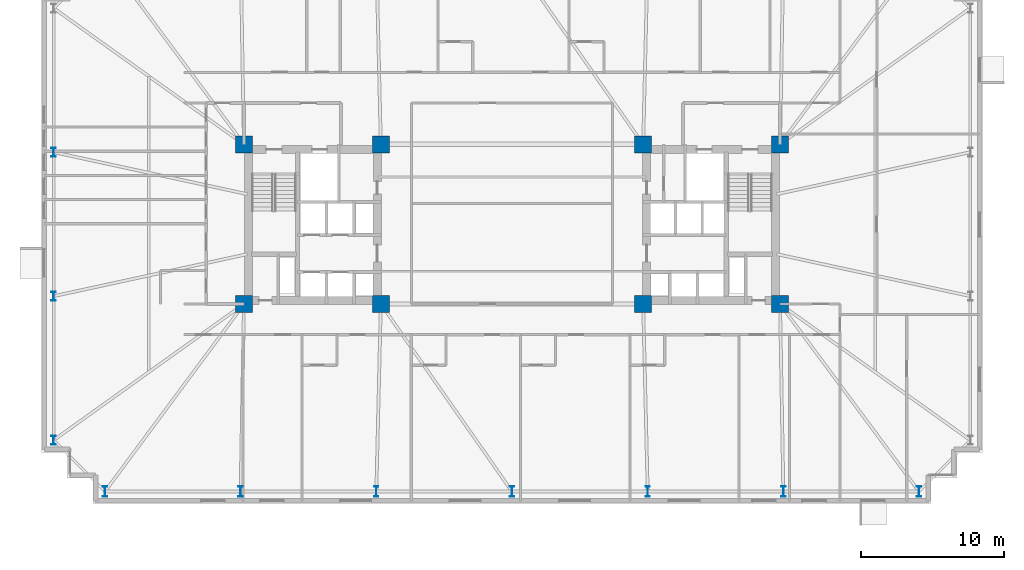
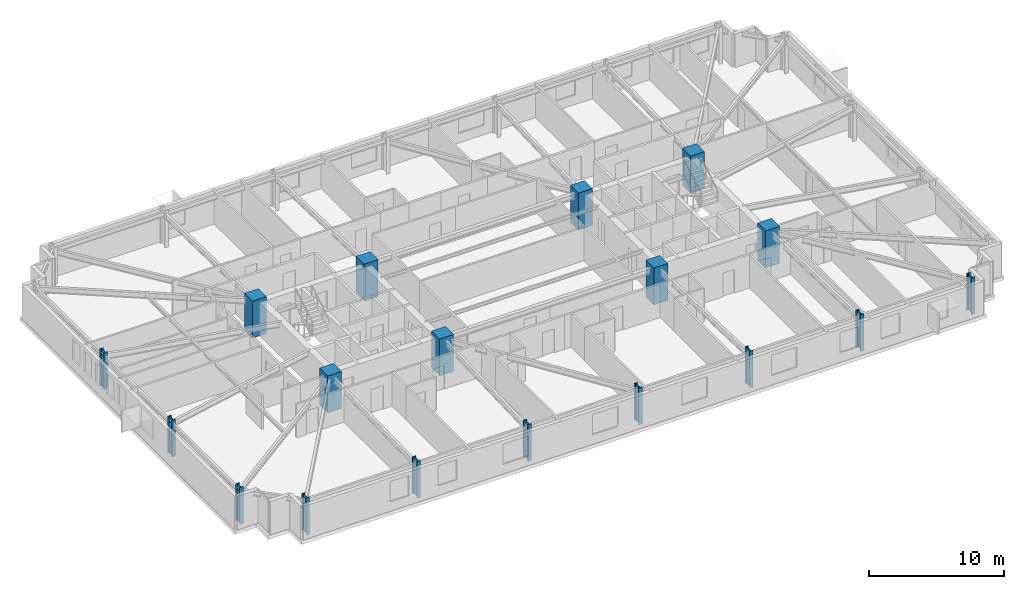
# One storey, part 1 of 21: 18 columns.
"""IFC4 building model written with IfcOpenShell, lengths in metres."""

from ifc_helpers import new_model, si_unit, direction, frame, origin, origin_2d, place, context, subcontext, project, spatial, rectangle, i_section, extrude, material, material_profile, profile_set, type_object, element, save


model = new_model("IFC4")

# Units and contexts
model_context = context("Model", 3, precision=1e-05, world=origin(), true_north=direction((0.0, 1.0)))
body_context = subcontext(model_context, "Body", "Model", "MODEL_VIEW")
ifc_project = project(units=[si_unit("LENGTHUNIT", "METRE"), si_unit("AREAUNIT", "SQUARE_METRE"), si_unit("VOLUMEUNIT", "CUBIC_METRE"), si_unit("PLANEANGLEUNIT", "RADIAN"), si_unit("MASSUNIT", "GRAM", prefix="KILO")], contexts=[model_context])

# Site, building, storey
site_placement = place(None, origin())
site = spatial("IfcSite", under=ifc_project, at=site_placement, CompositionType="ELEMENT")
building_placement = place(site_placement, origin())
building = spatial("IfcBuilding", under=site, at=building_placement, Name="Qobustan Lattice House", CompositionType="ELEMENT")
storey_placement = place(building_placement, frame((0.0, 0.0, 37.050048828125)))
storey = spatial("IfcBuildingStorey", under=building, at=storey_placement, Name="L09", CompositionType="ELEMENT", Elevation=37.050048828125)

# Columns
ifc_material_1 = material(Name="Concrete C60/75", Category="concrete")
ifc_material_profile_1 = material_profile(ifc_material_1, rectangle(XDim=1.199951171875, YDim=1.199951171875, at=origin_2d()), Name="RC1200x1200")
ifc_profile_set_1 = profile_set([ifc_material_profile_1], Name="Concrete C60/75")
column_type_1 = type_object("IfcColumnType", Name="COL-RC-1200", PredefinedType="COLUMN", material=ifc_profile_set_1)
for number, where, z_axis, x_axis, name in (
    (1, (-18.800048828125, -5.60009765625, 0.0), (0.0, 0.0, 1.0), (1.0, 0.0, 0.0), "L09 core mega-column CW-SW"),
    (2, (-18.800048828125, 5.60009765625, 0.0), (0.0, 0.0, 1.0), (1.0, 0.0, 0.0), "L09 core mega-column CW-NW"),
    (3, (-9.199951171875, -5.60009765625, 0.0), (0.0, 0.0, 1.0), (1.0, 0.0, 0.0), "L09 core mega-column CW-SE"),
    (4, (-9.199951171875, 5.60009765625, 0.0), (0.0, 0.0, 1.0), (1.0, 0.0, 0.0), "L09 core mega-column CW-NE"),
    (5, (9.199951171875, -5.60009765625, 0.0), (0.0, 0.0, 1.0), (1.0, 0.0, 0.0), "L09 core mega-column CE-SW"),
    (6, (9.199951171875, 5.60009765625, 0.0), (0.0, 0.0, 1.0), (1.0, 0.0, 0.0), "L09 core mega-column CE-NW"),
    (7, (18.800048828125, -5.60009765625, 0.0), (0.0, 0.0, 1.0), (1.0, 0.0, 0.0), "L09 core mega-column CE-SE"),
    (8, (18.800048828125, 5.60009765625, 0.0), (0.0, 0.0, 1.0), (1.0, 0.0, 0.0), "L09 core mega-column CE-NE"),
):
    element("IfcColumn", number, at=place(storey_placement, frame(where, z_axis=z_axis, x_axis=x_axis)), inside=storey, type_object=column_type_1, Name=name, PredefinedType="COLUMN", context=body_context, shape_type="SweptSolid", body=[
        extrude(rectangle(XDim=1.199951171875, YDim=1.199951171875, at=origin_2d()), origin(), (0.0, 0.0, 1.0), 3.349853515625),
    ])
ifc_material_2 = material(Name="Steel S460", Category="steel")
ifc_material_profile_2 = material_profile(ifc_material_2, i_section(OverallWidth=0.304931640625, OverallDepth=0.6201171875, WebThickness=0.02099609375, FlangeThickness=0.0400390625, FilletRadius=0.027099609375, at=origin_2d()), Name="HEM600")
ifc_profile_set_2 = profile_set([ifc_material_profile_2], Name="Steel S460")
column_type_2 = type_object("IfcColumnType", Name="COL-ST-HEM600", PredefinedType="COLUMN", material=ifc_profile_set_2)
for number, where, z_axis, x_axis, name in (
    (9, (-32.14990234375, 5.050048828125, 0.0), (0.0, 0.0, 1.0), (1.0, 0.0, 0.0), "L09 B1 perimeter column W2"),
    (10, (-32.14990234375, -5.050048828125, 0.0), (0.0, 0.0, 1.0), (1.0, 0.0, 0.0), "L09 B1 perimeter column W3"),
    (11, (-32.14990234375, -15.14990234375, 0.0), (0.0, 0.0, 1.0), (1.0, 0.0, 0.0), "L09 B1 perimeter column W4"),
):
    element("IfcColumn", number, at=place(storey_placement, frame(where, z_axis=z_axis, x_axis=x_axis)), inside=storey, type_object=column_type_2, Name=name, PredefinedType="COLUMN", context=body_context, shape_type="SweptSolid", body=[
        extrude(i_section(OverallWidth=0.304931640625, OverallDepth=0.6201171875, WebThickness=0.02099609375, FlangeThickness=0.0400390625, FilletRadius=0.027099609375, at=origin_2d()), origin(), (0.0, 0.0, 1.0), 3.349853515625),
    ])
ifc_material_3 = material(Name="Steel S460", Category="steel")
ifc_material_profile_3 = material_profile(ifc_material_3, i_section(OverallWidth=0.303955078125, OverallDepth=0.716064453125, WebThickness=0.02099609375, FlangeThickness=0.0400390625, FilletRadius=0.027099609375, at=origin_2d()), Name="HEM700")
ifc_profile_set_3 = profile_set([ifc_material_profile_3], Name="Steel S460")
column_type_3 = type_object("IfcColumnType", Name="COL-ST-HEM700", PredefinedType="COLUMN", material=ifc_profile_set_3)
for number, where, z_axis, x_axis, name in (
    (12, (-28.550048828125, -18.75, 0.0), (0.0, 0.0, 1.0), (1.0, 0.0, 0.0), "L09 B1 perimeter column S1"),
    (13, (-19.033203125, -18.75, 0.0), (0.0, 0.0, 1.0), (1.0, 0.0, 0.0), "L09 B1 perimeter column S2"),
    (14, (-9.5166015625, -18.75, 0.0), (0.0, 0.0, 1.0), (1.0, 0.0, 0.0), "L09 B1 perimeter column S3"),
    (15, (0.0, -18.75, 0.0), (0.0, 0.0, 1.0), (1.0, 0.0, 0.0), "L09 B1 perimeter column S4"),
    (16, (9.5166015625, -18.75, 0.0), (0.0, 0.0, 1.0), (1.0, 0.0, 0.0), "L09 B1 perimeter column S5"),
    (17, (19.033203125, -18.75, 0.0), (0.0, 0.0, 1.0), (1.0, 0.0, 0.0), "L09 B1 perimeter column S6"),
    (18, (28.550048828125, -18.75, 0.0), (0.0, 0.0, 1.0), (1.0, 0.0, 0.0), "L09 B1 perimeter column S7"),
):
    element("IfcColumn", number, at=place(storey_placement, frame(where, z_axis=z_axis, x_axis=x_axis)), inside=storey, type_object=column_type_3, Name=name, PredefinedType="COLUMN", context=body_context, shape_type="SweptSolid", body=[
        extrude(i_section(OverallWidth=0.303955078125, OverallDepth=0.716064453125, WebThickness=0.02099609375, FlangeThickness=0.0400390625, FilletRadius=0.027099609375, at=origin_2d()), origin(), (0.0, 0.0, 1.0), 3.349853515625),
    ])

save(model, "model.ifc")
